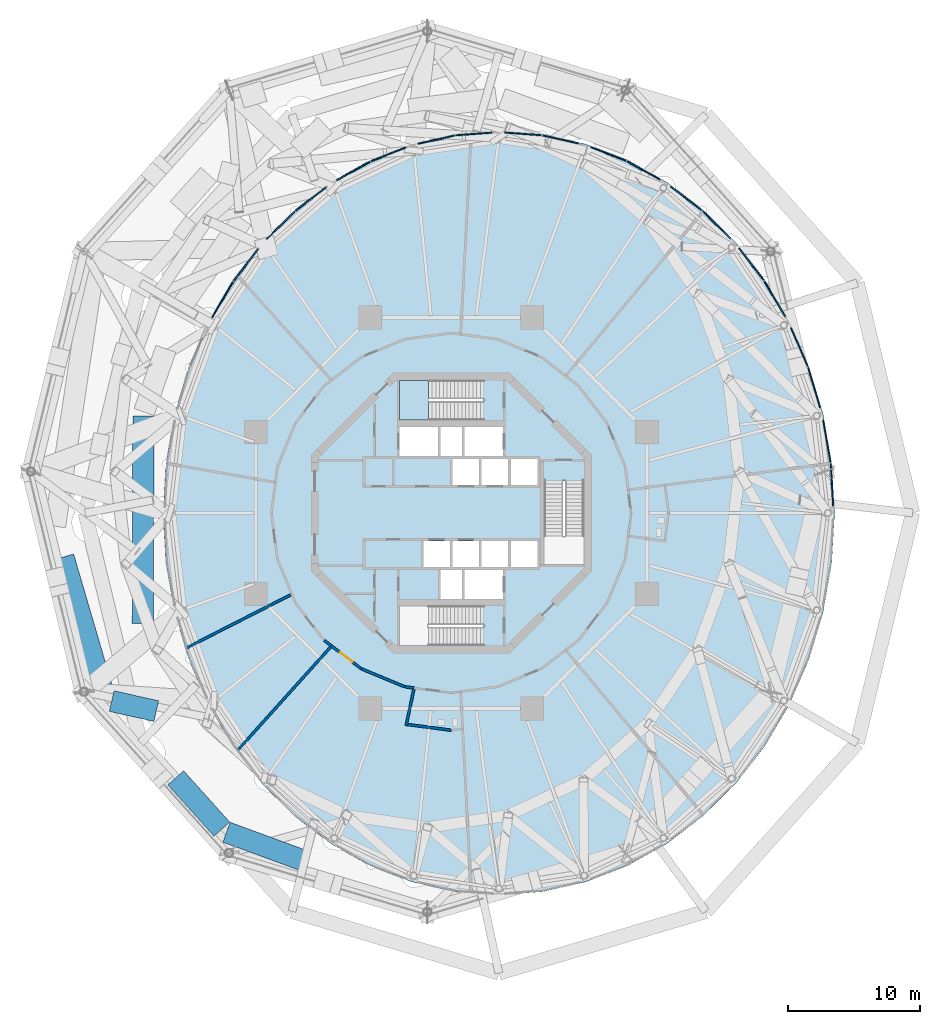
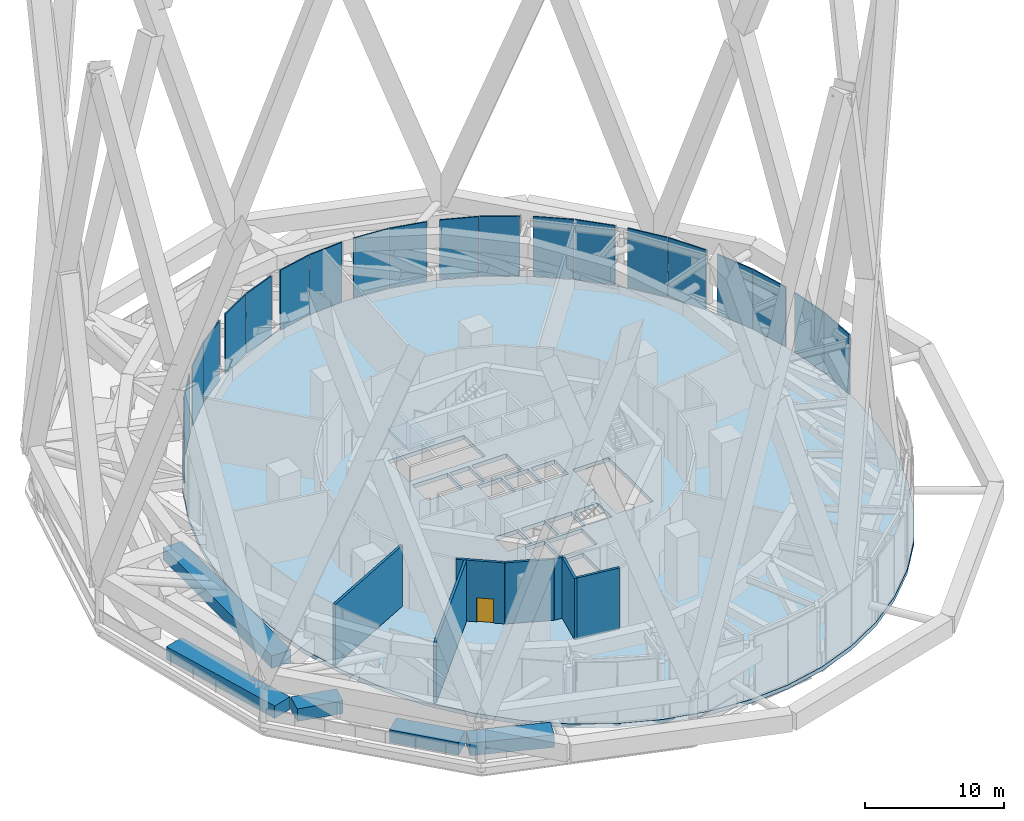
# One storey, part 48 of 60: 20 plates, 13 walls, 2 slabs, 1 door, 1 opening, 21 elements without a shape of their own.
"""IFC4 building model written with IfcOpenShell, lengths in metres."""

from ifc_helpers import new_model, si_unit, direction, frame, frame_2d, origin, origin_2d, place, context, subcontext, project, spatial, polyline, rectangle, outline, extrude, material, layer, layer_set, type_object, element, fill, aggregate, save


model = new_model("IFC4")

# Units and contexts
model_context = context("Model", 3, precision=1e-05, world=origin(), true_north=direction((0.0, 1.0)))
body_context = subcontext(model_context, "Body", "Model", "MODEL_VIEW")
ifc_project = project(units=[si_unit("LENGTHUNIT", "METRE"), si_unit("AREAUNIT", "SQUARE_METRE"), si_unit("VOLUMEUNIT", "CUBIC_METRE"), si_unit("PLANEANGLEUNIT", "RADIAN"), si_unit("MASSUNIT", "GRAM", prefix="KILO")], contexts=[model_context])

# Site, building, storey
site_placement = place(None, origin())
site = spatial("IfcSite", under=ifc_project, at=site_placement, CompositionType="ELEMENT")
building_placement = place(site_placement, origin())
building = spatial("IfcBuilding", under=site, at=building_placement, Name="Nagisa Residences", CompositionType="ELEMENT")
storey_placement = place(building_placement, frame((0.0, 0.0, 206.60009765625)))
storey = spatial("IfcBuildingStorey", under=building, at=storey_placement, Name="L52", CompositionType="ELEMENT", Elevation=206.60009765625)

# Curtain wall, plate
ifc_material_1 = material(Name="Aluminium curtain wall system", Category="aluminium")
ifc_layer_1 = layer(ifc_material_1, 0.159912109375)
ifc_layer_set_1 = layer_set([ifc_layer_1], Name="CW5 CURTAIN WALL")
curtain_wall_type = type_object("IfcCurtainWallType", Name="CW5 CURTAIN WALL", PredefinedType="NOTDEFINED", material=ifc_layer_set_1)
curtain_wall_1_placement = place(storey_placement, origin())
curtain_wall_1 = element("IfcCurtainWall", 1, at=curtain_wall_1_placement, inside=storey, type_object=curtain_wall_type, Name="cw:CW5:L52:00", PredefinedType="NOTDEFINED")
ifc_material_2 = material(Name="Aluminium louvre", Category="aluminium")
ifc_layer_2 = layer(ifc_material_2, 0.10009765625)
ifc_layer_set_2 = layer_set([ifc_layer_2], Name="CW5 LOUVRE PANEL")
plate_type = type_object("IfcPlateType", Name="CW5 LOUVRE PANEL", PredefinedType="CURTAIN_PANEL", material=ifc_layer_set_2)
plate_1_placement = place(storey_placement, frame((28.77197265625, 2.134521484375, 0.1201171875), z_axis=(0.0, 0.0, 1.0), x_axis=(-0.057503492216, 0.998345305184, 0.0)))
plate_1 = element("IfcPlate", 2, at=plate_1_placement, type_object=plate_type, Name="CW5 panel", PredefinedType="CURTAIN_PANEL", context=body_context, shape_type="SweptSolid", body=[
    extrude(rectangle(XDim=3.26513671875, YDim=0.10009765625, at=origin_2d()), origin(), (0.0, 0.0, 1.0), 5.219970703125),
])
aggregate(curtain_wall_1, [plate_1])

curtain_wall_2_placement = place(storey_placement, origin())
curtain_wall_2 = element("IfcCurtainWall", 3, at=curtain_wall_2_placement, inside=storey, type_object=curtain_wall_type, Name="cw:CW5:L52:01", PredefinedType="NOTDEFINED")
plate_2_placement = place(storey_placement, frame((28.388916015625, 5.415283203125, 0.1201171875), z_axis=(0.0, 0.0, 1.0), x_axis=(-0.172190868898, 0.985063604377, 0.0)))
plate_2 = element("IfcPlate", 4, at=plate_2_placement, type_object=plate_type, Name="CW5 panel", PredefinedType="CURTAIN_PANEL", context=body_context, shape_type="SweptSolid", body=[
    extrude(rectangle(XDim=3.250732421875, YDim=0.10009765625, at=origin_2d()), origin(), (0.0, 0.0, 1.0), 5.219970703125),
])
aggregate(curtain_wall_2, [plate_2])

curtain_wall_3_placement = place(storey_placement, origin())
curtain_wall_3 = element("IfcCurtainWall", 5, at=curtain_wall_3_placement, inside=storey, type_object=curtain_wall_type, Name="cw:CW5:L52:02", PredefinedType="NOTDEFINED")
plate_3_placement = place(storey_placement, frame((27.42724609375, 9.483154296875, 0.1201171875), z_axis=(0.0, 0.0, 1.0), x_axis=(-0.285860274038, 0.958271310082, 0.0)))
plate_3 = element("IfcPlate", 6, at=plate_3_placement, type_object=plate_type, Name="CW5 panel", PredefinedType="CURTAIN_PANEL", context=body_context, shape_type="SweptSolid", body=[
    extrude(rectangle(XDim=3.222412109375, YDim=0.10009765625, at=origin_2d()), origin(), (0.0, 0.0, 1.0), 5.219970703125),
])
aggregate(curtain_wall_3, [plate_3])

curtain_wall_4_placement = place(storey_placement, origin())
curtain_wall_4 = element("IfcCurtainWall", 7, at=curtain_wall_4_placement, inside=storey, type_object=curtain_wall_type, Name="cw:CW5:L52:03", PredefinedType="NOTDEFINED")
plate_4_placement = place(storey_placement, frame((26.3134765625, 12.532958984375, 0.1201171875), z_axis=(0.0, 0.0, 1.0), x_axis=(-0.397635934147, 0.917543276295, 0.0)))
plate_4 = element("IfcPlate", 8, at=plate_4_placement, type_object=plate_type, Name="CW5 panel", PredefinedType="CURTAIN_PANEL", context=body_context, shape_type="SweptSolid", body=[
    extrude(rectangle(XDim=3.181884765625, YDim=0.10009765625, at=origin_2d()), origin(), (0.0, 0.0, 1.0), 5.219970703125),
])
aggregate(curtain_wall_4, [plate_4])

curtain_wall_5_placement = place(storey_placement, origin())
curtain_wall_5 = element("IfcCurtainWall", 9, at=curtain_wall_5_placement, inside=storey, type_object=curtain_wall_type, Name="cw:CW5:L52:04", PredefinedType="NOTDEFINED")
plate_5_placement = place(storey_placement, frame((24.455322265625, 16.18701171875, 0.1201171875), z_axis=(0.0, 0.0, 1.0), x_axis=(-0.506348567002, 0.862328898214, 0.0)))
plate_5 = element("IfcPlate", 10, at=plate_5_placement, type_object=plate_type, Name="CW5 panel", PredefinedType="CURTAIN_PANEL", context=body_context, shape_type="SweptSolid", body=[
    extrude(rectangle(XDim=3.1318359375, YDim=0.10009765625, at=origin_2d()), origin(), (0.0, 0.0, 1.0), 5.219970703125),
])
aggregate(curtain_wall_5, [plate_5])

curtain_wall_6_placement = place(storey_placement, origin())
curtain_wall_6 = element("IfcCurtainWall", 11, at=curtain_wall_6_placement, inside=storey, type_object=curtain_wall_type, Name="cw:CW5:L52:05", PredefinedType="NOTDEFINED")
plate_6_placement = place(storey_placement, frame((22.69287109375, 18.794677734375, 0.1201171875), z_axis=(0.0, 0.0, 1.0), x_axis=(-0.610429828235, 0.792070340816, 0.0)))
plate_6 = element("IfcPlate", 12, at=plate_6_placement, type_object=plate_type, Name="CW5 panel", PredefinedType="CURTAIN_PANEL", context=body_context, shape_type="SweptSolid", body=[
    extrude(rectangle(XDim=3.0751953125, YDim=0.10009765625, at=origin_2d()), origin(), (0.0, 0.0, 1.0), 5.219970703125),
])
aggregate(curtain_wall_6, [plate_6])

curtain_wall_7_placement = place(storey_placement, origin())
curtain_wall_7 = element("IfcCurtainWall", 13, at=curtain_wall_7_placement, inside=storey, type_object=curtain_wall_type, Name="cw:CW5:L52:06", PredefinedType="NOTDEFINED")
plate_7_placement = place(storey_placement, frame((20.05810546875, 21.786376953125, 0.1201171875), z_axis=(0.0, 0.0, 1.0), x_axis=(-0.707835924016, 0.706376885714, 0.0)))
plate_7 = element("IfcPlate", 14, at=plate_7_placement, type_object=plate_type, Name="CW5 panel", PredefinedType="CURTAIN_PANEL", context=body_context, shape_type="SweptSolid", body=[
    extrude(rectangle(XDim=3.015625, YDim=0.10009765625, at=origin_2d()), origin(), (0.0, 0.0, 1.0), 5.219970703125),
])
aggregate(curtain_wall_7, [plate_7])

curtain_wall_8_placement = place(storey_placement, origin())
curtain_wall_8 = element("IfcCurtainWall", 15, at=curtain_wall_8_placement, inside=storey, type_object=curtain_wall_type, Name="cw:CW5:L52:07", PredefinedType="NOTDEFINED")
plate_8_placement = place(storey_placement, frame((17.774169921875, 23.775634765625, 0.1201171875), z_axis=(0.0, 0.0, 1.0), x_axis=(-0.79603132756, 0.605255421737, 0.0)))
plate_8 = element("IfcPlate", 16, at=plate_8_placement, type_object=plate_type, Name="CW5 panel", PredefinedType="CURTAIN_PANEL", context=body_context, shape_type="SweptSolid", body=[
    extrude(rectangle(XDim=2.95703125, YDim=0.10009765625, at=origin_2d()), origin(), (0.0, 0.0, 1.0), 5.219970703125),
])
aggregate(curtain_wall_8, [plate_8])

curtain_wall_9_placement = place(storey_placement, origin())
curtain_wall_9 = element("IfcCurtainWall", 17, at=curtain_wall_9_placement, inside=storey, type_object=curtain_wall_type, Name="cw:CW5:L52:08", PredefinedType="NOTDEFINED")
plate_9_placement = place(storey_placement, frame((14.53759765625, 25.896728515625, 0.1201171875), z_axis=(0.0, 0.0, 1.0), x_axis=(-0.872072377523, 0.489376918501, 0.0)))
plate_9 = element("IfcPlate", 18, at=plate_9_placement, type_object=plate_type, Name="CW5 panel", PredefinedType="CURTAIN_PANEL", context=body_context, shape_type="SweptSolid", body=[
    extrude(rectangle(XDim=2.903564453125, YDim=0.10009765625, at=origin_2d()), origin(), (0.0, 0.0, 1.0), 5.219970703125),
])
aggregate(curtain_wall_9, [plate_9])

curtain_wall_10_placement = place(storey_placement, origin())
curtain_wall_10 = element("IfcCurtainWall", 19, at=curtain_wall_10_placement, inside=storey, type_object=curtain_wall_type, Name="cw:CW5:L52:09", PredefinedType="NOTDEFINED")
plate_10_placement = place(storey_placement, frame((11.89208984375, 27.13916015625, 0.1201171875), z_axis=(0.0, 0.0, 1.0), x_axis=(-0.932825759707, 0.360327770268, 0.0)))
plate_10 = element("IfcPlate", 20, at=plate_10_placement, type_object=plate_type, Name="CW5 panel", PredefinedType="CURTAIN_PANEL", context=body_context, shape_type="SweptSolid", body=[
    extrude(rectangle(XDim=2.859375, YDim=0.10009765625, at=origin_2d()), origin(), (0.0, 0.0, 1.0), 5.219970703125),
])
aggregate(curtain_wall_10, [plate_10])

curtain_wall_11_placement = place(storey_placement, origin())
curtain_wall_11 = element("IfcCurtainWall", 21, at=curtain_wall_11_placement, inside=storey, type_object=curtain_wall_type, Name="cw:CW5:L52:10", PredefinedType="NOTDEFINED")
plate_11_placement = place(storey_placement, frame((8.2734375, 28.23779296875, 0.1201171875), z_axis=(0.0, 0.0, 1.0), x_axis=(-0.975327274089, 0.2207639201, 0.0)))
plate_11 = element("IfcPlate", 22, at=plate_11_placement, type_object=plate_type, Name="CW5 panel", PredefinedType="CURTAIN_PANEL", context=body_context, shape_type="SweptSolid", body=[
    extrude(rectangle(XDim=2.827880859375, YDim=0.10009765625, at=origin_2d()), origin(), (0.0, 0.0, 1.0), 5.219970703125),
])
aggregate(curtain_wall_11, [plate_11])

curtain_wall_12_placement = place(storey_placement, origin())
curtain_wall_12 = element("IfcCurtainWall", 23, at=curtain_wall_12_placement, inside=storey, type_object=curtain_wall_type, Name="cw:CW5:L52:11", PredefinedType="NOTDEFINED")
plate_12_placement = place(storey_placement, frame((5.444580078125, 28.6572265625, 0.1201171875), z_axis=(0.0, 0.0, 1.0), x_axis=(-0.997230168512, 0.074377355493, 0.0)))
plate_12 = element("IfcPlate", 24, at=plate_12_placement, type_object=plate_type, Name="CW5 panel", PredefinedType="CURTAIN_PANEL", context=body_context, shape_type="SweptSolid", body=[
    extrude(rectangle(XDim=2.811279296875, YDim=0.10009765625, at=origin_2d()), origin(), (0.0, 0.0, 1.0), 5.219970703125),
])
aggregate(curtain_wall_12, [plate_12])

curtain_wall_13_placement = place(storey_placement, origin())
curtain_wall_13 = element("IfcCurtainWall", 25, at=curtain_wall_13_placement, inside=storey, type_object=curtain_wall_type, Name="cw:CW5:L52:12", PredefinedType="NOTDEFINED")
plate_13_placement = place(storey_placement, frame((1.695556640625, 28.65283203125, 0.1201171875), z_axis=(0.0, 0.0, 1.0), x_axis=(-0.997230168512, -0.074377355493, 0.0)))
plate_13 = element("IfcPlate", 26, at=plate_13_placement, type_object=plate_type, Name="CW5 panel", PredefinedType="CURTAIN_PANEL", context=body_context, shape_type="SweptSolid", body=[
    extrude(rectangle(XDim=2.811279296875, YDim=0.10009765625, at=origin_2d()), origin(), (0.0, 0.0, 1.0), 5.219970703125),
])
aggregate(curtain_wall_13, [plate_13])

curtain_wall_14_placement = place(storey_placement, origin())
curtain_wall_14 = element("IfcCurtainWall", 27, at=curtain_wall_14_placement, inside=storey, type_object=curtain_wall_type, Name="cw:CW5:L52:13", PredefinedType="NOTDEFINED")
plate_14_placement = place(storey_placement, frame((-1.132080078125, 28.224609375, 0.1201171875), z_axis=(0.0, 0.0, 1.0), x_axis=(-0.975327274089, -0.2207639201, 0.0)))
plate_14 = element("IfcPlate", 28, at=plate_14_placement, type_object=plate_type, Name="CW5 panel", PredefinedType="CURTAIN_PANEL", context=body_context, shape_type="SweptSolid", body=[
    extrude(rectangle(XDim=2.827880859375, YDim=0.10009765625, at=origin_2d()), origin(), (0.0, 0.0, 1.0), 5.219970703125),
])
aggregate(curtain_wall_14, [plate_14])

curtain_wall_15_placement = place(storey_placement, origin())
curtain_wall_15 = element("IfcCurtainWall", 29, at=curtain_wall_15_placement, inside=storey, type_object=curtain_wall_type, Name="cw:CW5:L52:14", PredefinedType="NOTDEFINED")
plate_15_placement = place(storey_placement, frame((-4.748046875, 27.11767578125, 0.1201171875), z_axis=(0.0, 0.0, 1.0), x_axis=(-0.932825759707, -0.360327770268, 0.0)))
plate_15 = element("IfcPlate", 30, at=plate_15_placement, type_object=plate_type, Name="CW5 panel", PredefinedType="CURTAIN_PANEL", context=body_context, shape_type="SweptSolid", body=[
    extrude(rectangle(XDim=2.859375, YDim=0.10009765625, at=origin_2d()), origin(), (0.0, 0.0, 1.0), 5.219970703125),
])
aggregate(curtain_wall_15, [plate_15])

curtain_wall_16_placement = place(storey_placement, origin())
curtain_wall_16 = element("IfcCurtainWall", 31, at=curtain_wall_16_placement, inside=storey, type_object=curtain_wall_type, Name="cw:CW5:L52:15", PredefinedType="NOTDEFINED")
plate_16_placement = place(storey_placement, frame((-7.389892578125, 25.867431640625, 0.1201171875), z_axis=(0.0, 0.0, 1.0), x_axis=(-0.872072377523, -0.489376918501, 0.0)))
plate_16 = element("IfcPlate", 32, at=plate_16_placement, type_object=plate_type, Name="CW5 panel", PredefinedType="CURTAIN_PANEL", context=body_context, shape_type="SweptSolid", body=[
    extrude(rectangle(XDim=2.903564453125, YDim=0.10009765625, at=origin_2d()), origin(), (0.0, 0.0, 1.0), 5.219970703125),
])
aggregate(curtain_wall_16, [plate_16])

curtain_wall_17_placement = place(storey_placement, origin())
curtain_wall_17 = element("IfcCurtainWall", 33, at=curtain_wall_17_placement, inside=storey, type_object=curtain_wall_type, Name="cw:CW5:L52:16", PredefinedType="NOTDEFINED")
plate_17_placement = place(storey_placement, frame((-10.6220703125, 23.7392578125, 0.1201171875), z_axis=(0.0, 0.0, 1.0), x_axis=(-0.79603132756, -0.605255421737, 0.0)))
plate_17 = element("IfcPlate", 34, at=plate_17_placement, type_object=plate_type, Name="CW5 panel", PredefinedType="CURTAIN_PANEL", context=body_context, shape_type="SweptSolid", body=[
    extrude(rectangle(XDim=2.95703125, YDim=0.10009765625, at=origin_2d()), origin(), (0.0, 0.0, 1.0), 5.219970703125),
])
aggregate(curtain_wall_17, [plate_17])

curtain_wall_18_placement = place(storey_placement, origin())
curtain_wall_18 = element("IfcCurtainWall", 35, at=curtain_wall_18_placement, inside=storey, type_object=curtain_wall_type, Name="cw:CW5:L52:17", PredefinedType="NOTDEFINED")
plate_18_placement = place(storey_placement, frame((-12.900634765625, 21.743896484375, 0.1201171875), z_axis=(0.0, 0.0, 1.0), x_axis=(-0.707835924016, -0.706376885714, 0.0)))
plate_18 = element("IfcPlate", 36, at=plate_18_placement, type_object=plate_type, Name="CW5 panel", PredefinedType="CURTAIN_PANEL", context=body_context, shape_type="SweptSolid", body=[
    extrude(rectangle(XDim=3.015625, YDim=0.10009765625, at=origin_2d()), origin(), (0.0, 0.0, 1.0), 5.219970703125),
])
aggregate(curtain_wall_18, [plate_18])

curtain_wall_19_placement = place(storey_placement, origin())
curtain_wall_19 = element("IfcCurtainWall", 37, at=curtain_wall_19_placement, inside=storey, type_object=curtain_wall_type, Name="cw:CW5:L52:18", PredefinedType="NOTDEFINED")
plate_19_placement = place(storey_placement, frame((-15.529296875, 18.7470703125, 0.1201171875), z_axis=(0.0, 0.0, 1.0), x_axis=(-0.610429828235, -0.792070340816, 0.0)))
plate_19 = element("IfcPlate", 38, at=plate_19_placement, type_object=plate_type, Name="CW5 panel", PredefinedType="CURTAIN_PANEL", context=body_context, shape_type="SweptSolid", body=[
    extrude(rectangle(XDim=3.0751953125, YDim=0.10009765625, at=origin_2d()), origin(), (0.0, 0.0, 1.0), 5.219970703125),
])
aggregate(curtain_wall_19, [plate_19])

curtain_wall_20_placement = place(storey_placement, origin())
curtain_wall_20 = element("IfcCurtainWall", 39, at=curtain_wall_20_placement, inside=storey, type_object=curtain_wall_type, Name="cw:CW5:L52:19", PredefinedType="NOTDEFINED")
plate_20_placement = place(storey_placement, frame((-17.28564453125, 16.135498046875, 0.1201171875), z_axis=(0.0, 0.0, 1.0), x_axis=(-0.506348567002, -0.862328898214, 0.0)))
plate_20 = element("IfcPlate", 40, at=plate_20_placement, type_object=plate_type, Name="CW5 panel", PredefinedType="CURTAIN_PANEL", context=body_context, shape_type="SweptSolid", body=[
    extrude(rectangle(XDim=3.1318359375, YDim=0.10009765625, at=origin_2d()), origin(), (0.0, 0.0, 1.0), 5.219970703125),
])
aggregate(curtain_wall_20, [plate_20])

# Slab
ifc_material_3 = material(Name="Concrete C40", Category="concrete")
ifc_layer_3 = layer(ifc_material_3, 0.35009765625)
ifc_layer_set_3 = layer_set([ifc_layer_3], Name="Floor slab 350")
slab_type_1 = type_object("IfcSlabType", Name="Floor slab 350", PredefinedType="FLOOR", material=ifc_layer_set_3)
slab_1_placement = place(storey_placement, frame((0.0, 0.0, -0.35009765625)))
element("IfcSlab", 41, at=slab_1_placement, inside=storey, type_object=slab_type_1, Name="slab:L52:floor", PredefinedType="FLOOR", context=body_context, shape_type="SweptSolid", body=[
    extrude(outline(polyline([(28.97509765625, 0.0), (28.7578125, 3.76904296875), (28.1103515625, 7.473388671875), (27.04345703125, 11.050048828125), (25.575439453125, 14.4375), (23.7314453125, 17.577880859375), (21.542724609375, 20.417724609375), (19.04736328125, 22.907958984375), (16.28759765625, 25.006591796875), (13.310546875, 26.677001953125), (10.16748046875, 27.89111328125), (6.912109375, 28.6279296875), (3.60009765625, 28.875), (0.287841796875, 28.6279296875), (-2.967529296875, 27.89111328125), (-6.110595703125, 26.677001953125), (-9.08740234375, 25.006591796875), (-11.847412109375, 22.907958984375), (-14.3427734375, 20.417724609375), (-16.53125, 17.577880859375), (-18.37548828125, 14.4375), (-19.843505859375, 11.050048828125), (-20.910400390625, 7.473388671875), (-21.557861328125, 3.76904296875), (-21.77490234375, 0.0), (-21.557861328125, -3.76904296875), (-20.910400390625, -7.473388671875), (-19.843505859375, -11.050048828125), (-18.37548828125, -14.4375), (-16.53125, -17.577880859375), (-14.3427734375, -20.417724609375), (-11.847412109375, -22.907958984375), (-9.08740234375, -25.006591796875), (-6.110595703125, -26.677001953125), (-2.967529296875, -27.89111328125), (0.287841796875, -28.6279296875), (3.60009765625, -28.875), (6.912109375, -28.6279296875), (10.16748046875, -27.89111328125), (13.310546875, -26.677001953125), (16.28759765625, -25.006591796875), (19.04736328125, -22.907958984375), (21.542724609375, -20.417724609375), (23.7314453125, -17.577880859375), (25.575439453125, -14.4375), (27.04345703125, -11.050048828125), (28.1103515625, -7.473388671875), (28.7578125, -3.76904296875), (28.97509765625, 0.0)]), holes=[polyline([(2.10009765625, 2.10009765625), (2.10009765625, 4.10009765625), (0.10009765625, 4.10009765625), (0.10009765625, 2.10009765625), (2.10009765625, 2.10009765625)]), polyline([(4.300048828125, 2.10009765625), (4.300048828125, 4.10009765625), (2.300048828125, 4.10009765625), (2.300048828125, 2.10009765625), (4.300048828125, 2.10009765625)]), polyline([(6.5, 2.10009765625), (6.5, 4.10009765625), (4.5, 4.10009765625), (4.5, 2.10009765625), (6.5, 2.10009765625)]), polyline([(-0.10009765625, -4.10009765625), (-0.10009765625, -2.10009765625), (-2.10009765625, -2.10009765625), (-2.10009765625, -4.10009765625), (-0.10009765625, -4.10009765625)]), polyline([(2.10009765625, -4.10009765625), (2.10009765625, -2.10009765625), (0.10009765625, -2.10009765625), (0.10009765625, -4.10009765625), (2.10009765625, -4.10009765625)]), polyline([(4.300048828125, -4.10009765625), (4.300048828125, -2.10009765625), (2.300048828125, -2.10009765625), (2.300048828125, -4.10009765625), (4.300048828125, -4.10009765625)]), polyline([(6.5, -4.10009765625), (6.5, -2.10009765625), (4.5, -2.10009765625), (4.5, -4.10009765625), (6.5, -4.10009765625)]), polyline([(3.89990234375, 4.300048828125), (3.89990234375, 6.5), (1.0, 6.5), (1.0, 4.300048828125), (3.89990234375, 4.300048828125)]), polyline([(3.89990234375, -6.5), (3.89990234375, -4.300048828125), (1.0, -4.300048828125), (1.0, -6.5), (3.89990234375, -6.5)]), polyline([(-1.0, 4.300048828125), (-1.0, 6.5), (-3.89990234375, 6.5), (-3.89990234375, 4.300048828125), (-1.0, 4.300048828125)]), polyline([(0.800048828125, 4.300048828125), (0.800048828125, 6.5), (-0.800048828125, 6.5), (-0.800048828125, 4.300048828125), (0.800048828125, 4.300048828125)]), polyline([(0.800048828125, -6.5), (0.800048828125, -4.300048828125), (-0.800048828125, -4.300048828125), (-0.800048828125, -6.5), (0.800048828125, -6.5)]), polyline([(10.024658203125, -3.89990234375), (7.024658203125, -3.89990234375), (7.024658203125, 2.425048828125), (10.024658203125, 2.425048828125), (10.024658203125, -3.89990234375)]), polyline([(-3.89990234375, 7.024658203125), (-3.89990234375, 10.024658203125), (2.425048828125, 10.024658203125), (2.425048828125, 7.024658203125), (-3.89990234375, 7.024658203125)]), polyline([(-3.89990234375, -10.024658203125), (-3.89990234375, -7.024658203125), (2.425048828125, -7.024658203125), (2.425048828125, -10.024658203125), (-3.89990234375, -10.024658203125)])]), origin(), (0.0, 0.0, 1.0), 0.35009765625),
])

# Stair, slab
ifc_material_4 = material(Name="Concrete C60", Category="concrete")
stair_type = type_object("IfcStairType", Name="Exit stair", PredefinedType="HALF_TURN_STAIR", material=ifc_material_4)
stair_placement = place(storey_placement, origin())
stair = element("IfcStair", 42, at=stair_placement, inside=storey, type_object=stair_type, Name="L52 Exit stair N", PredefinedType="HALF_TURN_STAIR")
ifc_material_5 = material(Name="Concrete C60", Category="concrete")
ifc_layer_4 = layer(ifc_material_5, 0.199951171875)
ifc_layer_set_4 = layer_set([ifc_layer_4], Name="Stair landing")
slab_type_2 = type_object("IfcSlabType", Name="Stair landing", PredefinedType="LANDING", material=ifc_layer_set_4)
slab_2_placement = place(storey_placement, frame((0.0, 0.0, 2.599853515625)))
slab_2 = element("IfcSlab", 43, at=slab_2_placement, type_object=slab_type_2, Name="ST-N landing 1", PredefinedType="LANDING", context=body_context, shape_type="SweptSolid", body=[
    extrude(outline(polyline([(-1.72509765625, 10.024658203125), (-3.89990234375, 10.024658203125), (-3.89990234375, 7.024658203125), (-1.72509765625, 7.024658203125), (-1.72509765625, 10.024658203125)])), origin(), (0.0, 0.0, 1.0), 0.199951171875),
])
aggregate(stair, [slab_2])

# Walls
ifc_material_6 = material(Name="Precast concrete C30/37", Category="concrete")
ifc_layer_5 = layer(ifc_material_6, 1.60009765625)
ifc_layer_set_5 = layer_set([ifc_layer_5], Name="PLANTER")
wall_type_1 = type_object("IfcWallType", Name="PLANTER", PredefinedType="SOLIDWALL", material=ifc_layer_set_5)
wall_1_placement = place(storey_placement, frame((-26.29150390625, -13.639404296875, 0.0), z_axis=(0.0, 0.0, 1.0), x_axis=(-0.281520691555, 0.959555157469, 0.0)))
element("IfcWall", 44, at=wall_1_placement, inside=storey, type_object=wall_type_1, Name="planter:L52:deck002", PredefinedType="SOLIDWALL", context=body_context, shape_type="SweptSolid", body=[
    extrude(rectangle(XDim=10.749267578125, YDim=1.60009765625, at=frame_2d((5.37451171875, 0.0))), origin(), (0.0, 0.0, 1.0), 1.099853515625),
])
wall_2_placement = place(storey_placement, frame((-23.2744140625, 7.335205078125, 0.0), z_axis=(0.0, 0.0, 1.0), x_axis=(-0.002911581094, -0.999995761339, 0.0)))
element("IfcWall", 45, at=wall_2_placement, inside=storey, type_object=wall_type_1, Name="planter:L52:deck003", PredefinedType="SOLIDWALL", context=body_context, shape_type="SweptSolid", body=[
    extrude(rectangle(XDim=15.68017578125, YDim=1.60009765625, at=frame_2d((7.840087890625, 0.0))), origin(), (0.0, 0.0, 1.0), 1.099853515625),
])
wall_3_placement = place(storey_placement, frame((-22.30224609375, -14.974853515625, 0.0), z_axis=(0.0, 0.0, 1.0), x_axis=(-0.975734430561, 0.218957349769, 0.0)))
element("IfcWall", 46, at=wall_3_placement, inside=storey, type_object=wall_type_1, Name="planter:L52:deck004", PredefinedType="SOLIDWALL", context=body_context, shape_type="SweptSolid", body=[
    extrude(rectangle(XDim=3.455322265625, YDim=1.60009765625, at=frame_2d((1.7275390625, 0.0))), origin(), (0.0, 0.0, 1.0), 1.099853515625),
])
wall_4_placement = place(storey_placement, frame((-17.343505859375, -23.896240234375, 0.0), z_axis=(0.0, 0.0, 1.0), x_axis=(-0.669063057079, 0.743205641563, 0.0)))
element("IfcWall", 47, at=wall_4_placement, inside=storey, type_object=wall_type_1, Name="planter:L52:deck006", PredefinedType="SOLIDWALL", context=body_context, shape_type="SweptSolid", body=[
    extrude(rectangle(XDim=5.212646484375, YDim=1.60009765625, at=frame_2d((2.6064453125, 0.0))), origin(), (0.0, 0.0, 1.0), 1.099853515625),
])
wall_5_placement = place(storey_placement, frame((-11.21337890625, -26.25732421875, 0.0), z_axis=(0.0, 0.0, 1.0), x_axis=(-0.938641992803, 0.344893040444, 0.0)))
element("IfcWall", 48, at=wall_5_placement, inside=storey, type_object=wall_type_1, Name="planter:L52:deck010", PredefinedType="SOLIDWALL", context=body_context, shape_type="SweptSolid", body=[
    extrude(rectangle(XDim=6.156982421875, YDim=1.60009765625, at=frame_2d((3.07861328125, 0.0))), origin(), (0.0, 0.0, 1.0), 1.099853515625),
])
ifc_material_7 = material(Name="Gypsum board on steel studs", Category="steel")
ifc_layer_6 = layer(ifc_material_7, 0.199951171875)
ifc_layer_set_6 = layer_set([ifc_layer_6], Name="Plant room wall EI120 200")
wall_type_2 = type_object("IfcWallType", Name="Plant room wall EI120 200", PredefinedType="PARTITIONING", material=ifc_layer_set_6)
wall_6_placement = place(storey_placement, frame((-12.140380859375, -6.18603515625, 0.0), z_axis=(0.0, 0.0, 1.0), x_axis=(-0.891017729568, -0.453968507273, 0.0)))
element("IfcWall", 49, at=wall_6_placement, inside=storey, type_object=wall_type_2, Name="wall:L52:am009", PredefinedType="PARTITIONING", context=body_context, shape_type="SweptSolid", body=[
    extrude(rectangle(XDim=8.816650390625, YDim=0.199951171875, at=frame_2d((4.408203125, 0.0))), origin(), (0.0, 0.0, 1.0), 5.33984375),
])
wall_7_placement = place(storey_placement, frame((-9.117431640625, -10.125732421875, 0.0), z_axis=(0.0, 0.0, 1.0), x_axis=(-0.66912025522, -0.743154145554, 0.0)))
element("IfcWall", 50, at=wall_7_placement, inside=storey, type_object=wall_type_2, Name="wall:L52:am015", PredefinedType="PARTITIONING", context=body_context, shape_type="SweptSolid", body=[
    extrude(rectangle(XDim=10.4931640625, YDim=0.199951171875, at=frame_2d((5.24658203125, 0.0))), origin(), (0.0, 0.0, 1.0), 5.33984375),
])
wall_8_placement = place(storey_placement, frame((-9.05029296875, -10.05126953125, 0.0), z_axis=(0.0, 0.0, 1.0), x_axis=(-0.793454504248, 0.608629566887, 0.0)))
element("IfcWall", 51, at=wall_8_placement, inside=storey, type_object=wall_type_2, Name="wall:L52:am016", PredefinedType="PARTITIONING", context=body_context, shape_type="SweptSolid", body=[
    extrude(rectangle(XDim=0.69873046875, YDim=0.199951171875, at=frame_2d((0.349365234375, 0.0))), origin(), (0.0, 0.0, 1.0), 5.33984375),
])

# Wall, opening, door
wall_9_placement = place(storey_placement, frame((-6.81201171875, -11.7685546875, 0.0), z_axis=(0.0, 0.0, 1.0), x_axis=(-0.793389024662, 0.608714921409, 0.0)))
wall_9 = element("IfcWall", 52, at=wall_9_placement, inside=storey, type_object=wall_type_2, Name="wall:L52:am019", PredefinedType="PARTITIONING", context=body_context, shape_type="SweptSolid", body=[
    extrude(rectangle(XDim=2.821044921875, YDim=0.199951171875, at=frame_2d((1.41064453125, 0.0))), origin(), (0.0, 0.0, 1.0), 5.33984375),
])
opening_placement = place(wall_9_placement, frame((0.802978515625, 0.0, 0.0)))
opening = element("IfcOpeningElement", 53, at=opening_placement, cuts=wall_9, Name="Opening L52-A08", PredefinedType="OPENING", context=body_context, shape_type="SweptSolid", body=[
    extrude(rectangle(XDim=1.199951171875, YDim=2.10009765625, at=frame_2d((0.60009765625, 1.050048828125))), frame((0.0, 0.10986328125, 0.0), z_axis=(0.0, -1.0, 0.0), x_axis=(1.0, 0.0, 0.0)), (0.0, 0.0, 1.0), 0.219970703125),
])
ifc_material_8 = material(Name="Steel fire door", Category="steel")
door_type = type_object("IfcDoorType", Name="Fire door EI120 1200x2100 single swing", OperationType="NOTDEFINED", PredefinedType="DOOR", material=ifc_material_8)
door_placement = place(opening_placement, frame((1.199951171875, 0.0, 0.0), x_axis=(-1.0, 0.0, 0.0)))
door = element("IfcDoor", 54, at=door_placement, inside=storey, type_object=door_type, Name="Refuge room 2 door", OperationType="SINGLE_SWING_LEFT", OverallHeight=2.10009765625, OverallWidth=1.199951171875, PredefinedType="DOOR", context=body_context, shape_type="SweptSolid", body=[
    extrude(rectangle(XDim=1.199951171875, YDim=2.10009765625, at=frame_2d((0.60009765625, 1.050048828125))), frame((0.0, 0.02490234375, 0.0), z_axis=(0.0, -1.0, 0.0), x_axis=(1.0, 0.0, 0.0)), (0.0, 0.0, 1.0), 0.050048828125),
])
fill(opening, door)

# Walls
wall_10_placement = place(storey_placement, frame((-3.533935546875, -13.130859375, 0.0), z_axis=(0.0, 0.0, 1.0), x_axis=(-0.92386297064, 0.382723413813, 0.0)))
element("IfcWall", 55, at=wall_10_placement, inside=storey, type_object=wall_type_2, Name="wall:L52:am021", PredefinedType="PARTITIONING", context=body_context, shape_type="SweptSolid", body=[
    extrude(rectangle(XDim=3.52001953125, YDim=0.199951171875, at=frame_2d((1.760009765625, 0.0))), origin(), (0.0, 0.0, 1.0), 5.33984375),
])
wall_11_placement = place(storey_placement, frame((-3.416748046875, -16.0751953125, 0.0), z_axis=(0.0, 0.0, 1.0), x_axis=(0.207836923884, 0.97816348995, 0.0)))
element("IfcWall", 56, at=wall_11_placement, inside=storey, type_object=wall_type_2, Name="wall:L52:am023", PredefinedType="PARTITIONING", context=body_context, shape_type="SweptSolid", body=[
    extrude(rectangle(XDim=2.80859375, YDim=0.199951171875, at=frame_2d((1.404296875, 0.0))), origin(), (0.0, 0.0, 1.0), 5.33984375),
])
wall_12_placement = place(storey_placement, frame((-2.81201171875, -13.229736328125, 0.0), z_axis=(0.0, 0.0, 1.0), x_axis=(-0.991473310532, 0.130309917135, 0.0)))
element("IfcWall", 57, at=wall_12_placement, inside=storey, type_object=wall_type_2, Name="wall:L52:am024", PredefinedType="PARTITIONING", context=body_context, shape_type="SweptSolid", body=[
    extrude(rectangle(XDim=0.69873046875, YDim=0.199951171875, at=frame_2d((0.349365234375, 0.0))), origin(), (0.0, 0.0, 1.0), 5.33984375),
])
wall_13_placement = place(storey_placement, frame((-0.01513671875, -16.422119140625, 0.0), z_axis=(0.0, 0.0, 1.0), x_axis=(-0.991450026894, 0.130486950195, 0.0)))
element("IfcWall", 58, at=wall_13_placement, inside=storey, type_object=wall_type_2, Name="wall:L52:am025", PredefinedType="PARTITIONING", context=body_context, shape_type="SweptSolid", body=[
    extrude(rectangle(XDim=3.309814453125, YDim=0.199951171875, at=frame_2d((1.65478515625, 0.0))), origin(), (0.0, 0.0, 1.0), 5.33984375),
])

save(model, "model.ifc")
